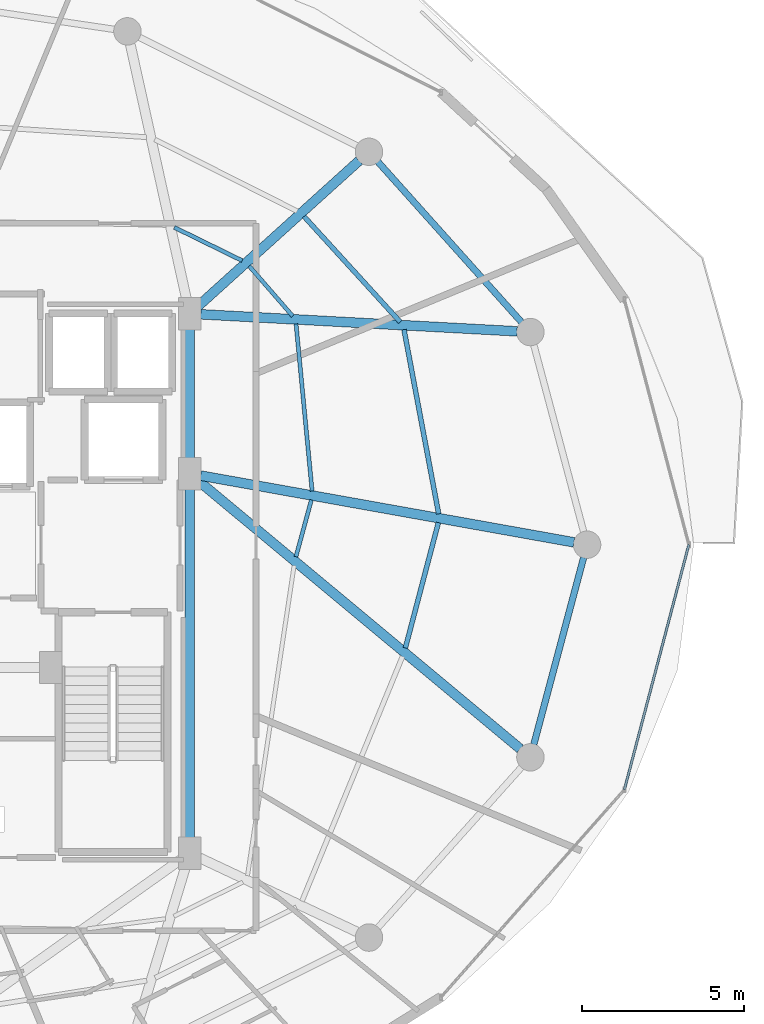
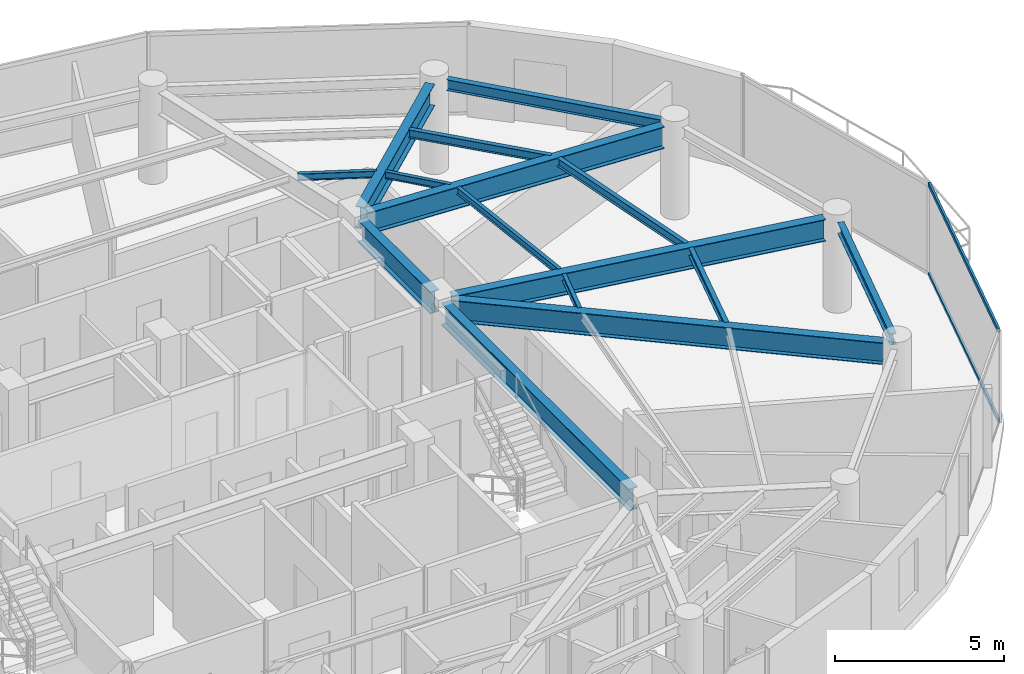
# One storey, part 14 of 30: 15 beams, 2 members, 1 element without a shape of its own.
"""IFC4 building model written with IfcOpenShell, lengths in metres."""

import ifcopenshell
import ifcopenshell.guid

model = None  # the IFC model being written
_history = None  # IfcOwnerHistory: only IFC2X3 demands one
_inside = {}  # id of a spatial element -> (the spatial element, [elements in it])
_under = {}  # id of a project, library or spatial element -> (it, [spatial elements below it])
_declared = {}  # id of a project -> (the project, [libraries it declares])
_typed = {}  # id of a type object -> (the type object, [elements of that type])
_made_of = {}  # id of a material, layer set ... -> (it, [elements and type objects made of it])


def new_model(schema):
    """Start an empty IFC model of exactly this schema.

    Asked for "IFC4X3", IfcOpenShell would pick the latest addendum, in which some entities
    have other attributes; the version numbers below select the first issue.
    IFC2X3 requires an IfcOwnerHistory on every rooted entity: one is made here for all.
    """
    global model, _history
    if schema == "IFC4X3":
        model = ifcopenshell.file(schema_version=(4, 3, 0, 0))
    else:
        model = ifcopenshell.file(schema=schema)
    _inside.clear()
    _under.clear()
    _declared.clear()
    _typed.clear()
    _made_of.clear()
    _history = None
    if model.schema == "IFC2X3":
        org = make("IfcOrganization", Name="unknown")
        user = make(
            "IfcPersonAndOrganization",
            ThePerson=make("IfcPerson", FamilyName="unknown"),
            TheOrganization=org,
        )
        app = make(
            "IfcApplication",
            ApplicationDeveloper=org,
            Version="unknown",
            ApplicationFullName="unknown",
            ApplicationIdentifier="unknown",
        )
        _history = make(
            "IfcOwnerHistory",
            OwningUser=user,
            OwningApplication=app,
            ChangeAction="ADDED",
            CreationDate=0,
        )
    return model


def make(cls, **values):
    """One entity of the class cls with the attributes given. An attribute that is None is left unset."""
    return model.create_entity(
        cls, **{name: value for name, value in values.items() if value is not None}
    )


def rooted(cls, **values):
    """An entity with a GlobalId (a new one), such as an element, a storey or a relation."""
    return make(cls, GlobalId=ifcopenshell.guid.new(), OwnerHistory=_history, **values)


def si_unit(unit_type, name, prefix=None):
    """IfcSIUnit, for example si_unit("LENGTHUNIT", "METRE", prefix="MILLI")."""
    return make("IfcSIUnit", UnitType=unit_type, Prefix=prefix, Name=name)


def assignment(units):
    """IfcUnitAssignment: the units of a project."""
    return None if units is None else make("IfcUnitAssignment", Units=units)


def point(xyz):
    """IfcCartesianPoint."""
    return None if xyz is None else make("IfcCartesianPoint", Coordinates=xyz)


def direction(xyz):
    """IfcDirection."""
    return None if xyz is None else make("IfcDirection", DirectionRatios=xyz)


def frame(location, z_axis=None, x_axis=None):
    """IfcAxis2Placement3D, a coordinate frame: its origin and axes. An axis left out is left unset."""
    return make(
        "IfcAxis2Placement3D",
        Location=point(location),
        Axis=direction(z_axis),
        RefDirection=direction(x_axis),
    )


def frame_2d(location, x_axis=None):
    """IfcAxis2Placement2D, a coordinate frame in the plane: its origin and x axis."""
    return make(
        "IfcAxis2Placement2D", Location=point(location), RefDirection=direction(x_axis)
    )


def origin():
    """The frame at (0, 0, 0) with its axes left unset."""
    return frame((0.0, 0.0, 0.0))


def origin_2d():
    """The frame at (0, 0) in the plane with its x axis left unset."""
    return frame_2d((0.0, 0.0))


def place(relative_to, where):
    """IfcLocalPlacement: puts the frame where relative to a parent placement (None: the world)."""
    return make(
        "IfcLocalPlacement", PlacementRelTo=relative_to, RelativePlacement=where
    )


def context(
    kind, dimensions, precision=None, world=None, true_north=None, identifier=None
):
    """IfcGeometricRepresentationContext, for example the 3D "Model" context."""
    return make(
        "IfcGeometricRepresentationContext",
        ContextIdentifier=identifier,
        ContextType=kind,
        CoordinateSpaceDimension=dimensions,
        Precision=precision,
        WorldCoordinateSystem=world,
        TrueNorth=true_north,
    )


def subcontext(parent, identifier, kind, view, scale=None):
    """IfcGeometricRepresentationSubContext, for example "Body" below "Model"."""
    return make(
        "IfcGeometricRepresentationSubContext",
        ContextIdentifier=identifier,
        ContextType=kind,
        ParentContext=parent,
        TargetScale=scale,
        TargetView=view,
    )


def project(units=None, contexts=None):
    """IfcProject with its units and contexts."""
    return rooted(
        "IfcProject",
        Name="project",
        RepresentationContexts=contexts,
        UnitsInContext=assignment(units),
    )


def spatial(cls, under=None, at=None, **own):
    """A site, building, storey or space (cls), placed at a placement, below another one or the project."""
    s = rooted(cls, ObjectPlacement=at, **own)
    if under is not None:
        _under.setdefault(under.id(), (under, []))[1].append(s)
    return s


def profile(cls, at=None, kind="AREA", **sizes):
    """A parametric profile (cls). Its sizes go by their IFC names, for example OverallWidth=200.0."""
    return make(cls, ProfileType=kind, Position=at, **sizes)


def hollow_rectangle(**sizes):
    """IfcRectangleHollowProfileDef."""
    return profile("IfcRectangleHollowProfileDef", **sizes)


def i_section(**sizes):
    """IfcIShapeProfileDef."""
    return profile("IfcIShapeProfileDef", **sizes)


def extrude(swept, where, along, depth):
    """IfcExtrudedAreaSolid: the profile swept, set in the frame where, extruded along a direction by depth."""
    return make(
        "IfcExtrudedAreaSolid",
        SweptArea=swept,
        Position=where,
        ExtrudedDirection=direction(along),
        Depth=depth,
    )


def shape(context_of_items, identifier, shape_type, items):
    """IfcShapeRepresentation: the items that make up one representation, for example the "Body"."""
    return make(
        "IfcShapeRepresentation",
        ContextOfItems=context_of_items,
        RepresentationIdentifier=identifier,
        RepresentationType=shape_type,
        Items=items,
    )


def material(Name=None, Category=None):
    """IfcMaterial."""
    return make("IfcMaterial", Name=Name, Category=Category)


def material_profile(
    of_material, cross_section, Name=None, Category=None, Priority=None
):
    """IfcMaterialProfile: a cross section and its material."""
    return make(
        "IfcMaterialProfile",
        Name=Name,
        Material=of_material,
        Profile=cross_section,
        Priority=Priority,
        Category=Category,
    )


def profile_set(profiles, Name=None, composite=None):
    """IfcMaterialProfileSet."""
    return make(
        "IfcMaterialProfileSet",
        Name=Name,
        MaterialProfiles=profiles,
        CompositeProfile=composite,
    )


def made_of(thing, what):
    """Note that an element or type object is made of a material, layer set ...; save() writes the relation."""
    if what is not None:
        _made_of.setdefault(what.id(), (what, []))[1].append(thing)
    return thing


def type_object(cls, material=None, **own):
    """A type object (cls), such as IfcWallType, which elements share."""
    return made_of(rooted(cls, **own), material)


def element(
    cls,
    number,
    at=None,
    inside=None,
    cuts=None,
    type_object=None,
    material=None,
    context=None,
    identifier="Body",
    shape_type=None,
    held_by="IfcProductDefinitionShape",
    body=None,
    shapes=None,
    **own,
):
    """One element of the class cls, such as IfcWall. Its Tag is "e" and its number.

    at: its placement. inside: the storey or other place that contains it. cuts: it is an
    opening in that element (IfcRelVoidsElement). A single representation is given by context,
    identifier, shape_type and body (its items); several are given by shapes. held_by: the class
    of the entity that holds the representations. save() writes the other relations.
    """
    e = rooted(cls, Tag="e%d" % number, ObjectPlacement=at, **own)
    if body is not None:
        shapes = [shape(context, identifier, shape_type, body)]
    if shapes is not None:
        e.Representation = make(held_by, Representations=shapes)
    if inside is not None:
        _inside.setdefault(inside.id(), (inside, []))[1].append(e)
    if cuts is not None:
        rooted(
            "IfcRelVoidsElement", RelatingBuildingElement=cuts, RelatedOpeningElement=e
        )
    if type_object is not None:
        _typed.setdefault(type_object.id(), (type_object, []))[1].append(e)
    return made_of(e, material)


def aggregate(whole, parts):
    """IfcRelAggregates: a whole, such as a stair, and the parts it consists of."""
    return rooted("IfcRelAggregates", RelatingObject=whole, RelatedObjects=parts)


def save(model, path):
    """Write the relations noted so far, then the file.

    IfcRelAggregates (storeys below a building ...), IfcRelContainedInSpatialStructure (elements
    in a storey), IfcRelDefinesByType, IfcRelAssociatesMaterial and IfcRelDeclares: one each for
    every whole, place, type object, material and project.
    """
    for whole, parts in _under.values():
        aggregate(whole, parts)
    for where, things in _inside.values():
        rooted(
            "IfcRelContainedInSpatialStructure",
            RelatedElements=things,
            RelatingStructure=where,
        )
    for kind, things in _typed.values():
        rooted("IfcRelDefinesByType", RelatedObjects=things, RelatingType=kind)
    for what, things in _made_of.values():
        rooted("IfcRelAssociatesMaterial", RelatedObjects=things, RelatingMaterial=what)
    for by, libraries in _declared.values():
        rooted("IfcRelDeclares", RelatingContext=by, RelatedDefinitions=libraries)
    model.write(path)


model = new_model("IFC4")

# Units and contexts
model_context = context("Model", 3, precision=1e-05, world=origin(), true_north=direction((0.0, 1.0)))
body_context = subcontext(model_context, "Body", "Model", "MODEL_VIEW")
ifc_project = project(units=[si_unit("LENGTHUNIT", "METRE"), si_unit("AREAUNIT", "SQUARE_METRE"), si_unit("VOLUMEUNIT", "CUBIC_METRE"), si_unit("PLANEANGLEUNIT", "RADIAN"), si_unit("MASSUNIT", "GRAM", prefix="KILO")], contexts=[model_context])

# Site, building, storey
site_placement = place(None, origin())
site = spatial("IfcSite", under=ifc_project, at=site_placement, CompositionType="ELEMENT")
building_placement = place(site_placement, origin())
building = spatial("IfcBuilding", under=site, at=building_placement, Name="Vorneva Point Tower", CompositionType="ELEMENT")
storey_placement = place(building_placement, frame((0.0, 0.0, 252.0)))
storey = spatial("IfcBuildingStorey", under=building, at=storey_placement, Name="L68", CompositionType="ELEMENT", Elevation=252.0)

# Beams
ifc_material_1 = material(Name="Steel S355", Category="steel")
ifc_material_profile_1 = material_profile(ifc_material_1, i_section(OverallWidth=0.300048828125, OverallDepth=0.7880859375, WebThickness=0.014404296875, FlangeThickness=0.02197265625, at=origin_2d()), Name="80Sh1")
ifc_profile_set_1 = profile_set([ifc_material_profile_1], Name="Steel S355")
beam_type_1 = type_object("IfcBeamType", Name="BM-GRD-80Sh1", PredefinedType="USERDEFINED", material=ifc_profile_set_1)
beam_1_placement = place(storey_placement, frame((60.6435546875, 26.07275390625, 2.89599609375), z_axis=(-0.9843788355, 0.17606336422, 0.0), x_axis=(-0.17606336422, -0.9843788355, 0.0)))
element("IfcBeam", 1, at=beam_1_placement, inside=storey, type_object=beam_type_1, Name="L68 Radial Primary Girder 01", ObjectType="GIRDER", PredefinedType="USERDEFINED", context=body_context, shape_type="SweptSolid", body=[
    extrude(i_section(OverallWidth=0.300048828125, OverallDepth=0.7880859375, WebThickness=0.014404296875, FlangeThickness=0.02197265625, at=origin_2d()), origin(), (0.0, 0.0, 1.0), 11.7421875),
])
beam_2_placement = place(storey_placement, frame((58.883056640625, 32.6044921875, 2.89599609375), z_axis=(-0.998554756376, 0.05374382308, 0.0), x_axis=(-0.05374382308, -0.998554756376, 0.0)))
element("IfcBeam", 2, at=beam_2_placement, inside=storey, type_object=beam_type_1, Name="L68 Radial Primary Girder 02", ObjectType="GIRDER", PredefinedType="USERDEFINED", context=body_context, shape_type="SweptSolid", body=[
    extrude(i_section(OverallWidth=0.300048828125, OverallDepth=0.7880859375, WebThickness=0.014404296875, FlangeThickness=0.02197265625, at=origin_2d()), origin(), (0.0, 0.0, 1.0), 9.8076171875),
])
beam_3_placement = place(storey_placement, frame((53.9921875, 37.885498046875, 2.89599609375), z_axis=(-0.7420671051, -0.670325601128, 0.0), x_axis=(0.670325601128, -0.7420671051, 0.0)))
element("IfcBeam", 3, at=beam_3_placement, inside=storey, type_object=beam_type_1, Name="L68 Radial Primary Girder 03", ObjectType="GIRDER", PredefinedType="USERDEFINED", context=body_context, shape_type="SweptSolid", body=[
    extrude(i_section(OverallWidth=0.300048828125, OverallDepth=0.7880859375, WebThickness=0.014404296875, FlangeThickness=0.02197265625, at=origin_2d()), origin(), (0.0, 0.0, 1.0), 6.724365234375),
])
beam_4_placement = place(storey_placement, frame((58.97802734375, 19.68212890625, 2.89599609375), z_axis=(-0.768424898021, 0.639939978515, 0.0), x_axis=(-0.639939978515, -0.768424898021, 0.0)))
element("IfcBeam", 4, at=beam_4_placement, inside=storey, type_object=beam_type_1, Name="L68 Radial Primary Girder 16", ObjectType="GIRDER", PredefinedType="USERDEFINED", context=body_context, shape_type="SweptSolid", body=[
    extrude(i_section(OverallWidth=0.300048828125, OverallDepth=0.7880859375, WebThickness=0.014404296875, FlangeThickness=0.02197265625, at=origin_2d()), origin(), (0.0, 0.0, 1.0), 12.970458984375),
])
beam_5_placement = place(storey_placement, frame((48.75, 16.77001953125, 2.89599609375), z_axis=(0.0, 1.0, 0.0), x_axis=(-1.0, 0.0, 0.0)))
element("IfcBeam", 5, at=beam_5_placement, inside=storey, type_object=beam_type_1, Name="L68 Core Tie Girder CT3", ObjectType="GIRDER", PredefinedType="USERDEFINED", context=body_context, shape_type="SweptSolid", body=[
    extrude(i_section(OverallWidth=0.300048828125, OverallDepth=0.7880859375, WebThickness=0.014404296875, FlangeThickness=0.02197265625, at=origin_2d()), origin(), (0.0, 0.0, 1.0), 11.10986328125),
])
beam_6_placement = place(storey_placement, frame((48.75, 28.52001953125, 2.89599609375), z_axis=(0.0, 1.0, 0.0), x_axis=(-1.0, 0.0, 0.0)))
element("IfcBeam", 6, at=beam_6_placement, inside=storey, type_object=beam_type_1, Name="L68 Core Tie Girder CT4", ObjectType="GIRDER", PredefinedType="USERDEFINED", context=body_context, shape_type="SweptSolid", body=[
    extrude(i_section(OverallWidth=0.300048828125, OverallDepth=0.7880859375, WebThickness=0.014404296875, FlangeThickness=0.02197265625, at=origin_2d()), origin(), (0.0, 0.0, 1.0), 4.31005859375),
])
ifc_material_profile_2 = material_profile(ifc_material_1, i_section(OverallWidth=0.1240234375, OverallDepth=0.248046875, WebThickness=0.0048828125, FlangeThickness=0.008056640625, at=origin_2d()), Name="25B1")
ifc_profile_set_2 = profile_set([ifc_material_profile_2], Name="Steel S355")
beam_type_2 = type_object("IfcBeamType", Name="BM-JST-25B1", PredefinedType="JOIST", material=ifc_profile_set_2)
beam_7_placement = place(storey_placement, frame((52.5390625, 27.6572265625, 3.166015625), z_axis=(-0.095772312645, 0.995403267089, 0.0), x_axis=(-0.995403267089, -0.095772312645, 0.0)))
element("IfcBeam", 7, at=beam_7_placement, inside=storey, type_object=beam_type_2, Name="L68 Secondary Floor Beam 2.01", PredefinedType="JOIST", context=body_context, shape_type="SweptSolid", body=[
    extrude(i_section(OverallWidth=0.1240234375, OverallDepth=0.248046875, WebThickness=0.0048828125, FlangeThickness=0.008056640625, at=origin_2d()), origin(), (0.0, 0.0, 1.0), 5.202880859375),
])
beam_8_placement = place(storey_placement, frame((51.93701171875, 33.07763671875, 3.166015625), z_axis=(-0.656396623312, 0.754415981342, 0.0), x_axis=(-0.754415981342, -0.656396623312, 0.0)))
element("IfcBeam", 8, at=beam_8_placement, inside=storey, type_object=beam_type_2, Name="L68 Secondary Floor Beam 2.02", PredefinedType="JOIST", context=body_context, shape_type="SweptSolid", body=[
    extrude(i_section(OverallWidth=0.1240234375, OverallDepth=0.248046875, WebThickness=0.0048828125, FlangeThickness=0.008056640625, at=origin_2d()), origin(), (0.0, 0.0, 1.0), 2.052490234375),
])
beam_9_placement = place(storey_placement, frame((50.37548828125, 34.791015625, 3.166015625), z_axis=(-0.897898931546, 0.440201668249, 0.0), x_axis=(-0.440201668249, -0.897898931546, 0.0)))
element("IfcBeam", 9, at=beam_9_placement, inside=storey, type_object=beam_type_2, Name="L68 Secondary Floor Beam 2.03", PredefinedType="JOIST", context=body_context, shape_type="SweptSolid", body=[
    extrude(i_section(OverallWidth=0.1240234375, OverallDepth=0.248046875, WebThickness=0.0048828125, FlangeThickness=0.008056640625, at=origin_2d()), origin(), (0.0, 0.0, 1.0), 2.34423828125),
])
beam_10_placement = place(storey_placement, frame((52.03759765625, 25.62548828125, 3.166015625), z_axis=(0.262189126288, 0.965016508696, 0.0), x_axis=(-0.965016508696, 0.262189126288, 0.0)))
element("IfcBeam", 10, at=beam_10_placement, inside=storey, type_object=beam_type_2, Name="L68 Secondary Floor Beam 2.16", PredefinedType="JOIST", context=body_context, shape_type="SweptSolid", body=[
    extrude(i_section(OverallWidth=0.1240234375, OverallDepth=0.248046875, WebThickness=0.0048828125, FlangeThickness=0.008056640625, at=origin_2d()), origin(), (0.0, 0.0, 1.0), 1.8251953125),
])
ifc_material_profile_3 = material_profile(ifc_material_1, i_section(OverallWidth=0.14892578125, OverallDepth=0.298095703125, WebThickness=0.005615234375, FlangeThickness=0.008056640625, at=origin_2d()), Name="30B1")
ifc_profile_set_3 = profile_set([ifc_material_profile_3], Name="Steel S355")
beam_type_3 = type_object("IfcBeamType", Name="BM-JST-30B1", PredefinedType="JOIST", material=ifc_profile_set_3)
beam_11_placement = place(storey_placement, frame((56.456787109375, 26.95263671875, 3.14111328125), z_axis=(-0.184968874114, 0.982744379587, 0.0), x_axis=(-0.982744379587, -0.184968874114, 0.0)))
element("IfcBeam", 11, at=beam_11_placement, inside=storey, type_object=beam_type_3, Name="L68 Secondary Floor Beam 1.01", PredefinedType="JOIST", context=body_context, shape_type="SweptSolid", body=[
    extrude(i_section(OverallWidth=0.14892578125, OverallDepth=0.298095703125, WebThickness=0.005615234375, FlangeThickness=0.008056640625, at=origin_2d()), origin(), (0.0, 0.0, 1.0), 5.80615234375),
])
beam_12_placement = place(storey_placement, frame((55.264404296875, 32.896240234375, 3.14111328125), z_axis=(-0.673657092993, 0.739044058944, 0.0), x_axis=(-0.739044058944, -0.673657092993, 0.0)))
element("IfcBeam", 12, at=beam_12_placement, inside=storey, type_object=beam_type_3, Name="L68 Secondary Floor Beam 1.02", PredefinedType="JOIST", context=body_context, shape_type="SweptSolid", body=[
    extrude(i_section(OverallWidth=0.14892578125, OverallDepth=0.298095703125, WebThickness=0.005615234375, FlangeThickness=0.008056640625, at=origin_2d()), origin(), (0.0, 0.0, 1.0), 4.4169921875),
])
beam_13_placement = place(storey_placement, frame((55.425048828125, 22.8037109375, 3.14111328125), z_axis=(0.254771835219, 0.967001195438, 0.0), x_axis=(-0.967001195438, 0.254771835219, 0.0)))
element("IfcBeam", 13, at=beam_13_placement, inside=storey, type_object=beam_type_3, Name="L68 Secondary Floor Beam 1.16", PredefinedType="JOIST", context=body_context, shape_type="SweptSolid", body=[
    extrude(i_section(OverallWidth=0.14892578125, OverallDepth=0.298095703125, WebThickness=0.005615234375, FlangeThickness=0.008056640625, at=origin_2d()), origin(), (0.0, 0.0, 1.0), 4.01220703125),
])
ifc_material_profile_4 = material_profile(ifc_material_1, i_section(OverallWidth=0.198974609375, OverallDepth=0.39599609375, WebThickness=0.007080078125, FlangeThickness=0.010986328125, at=origin_2d()), Name="40B1")
ifc_profile_set_4 = profile_set([ifc_material_profile_4], Name="Steel S355")
beam_type_4 = type_object("IfcBeamType", Name="BM-SPN-40B1", PredefinedType="SPANDREL", material=ifc_profile_set_4)
beam_14_placement = place(storey_placement, frame((59.02197265625, 32.8876953125, 3.092041015625), z_axis=(-0.667108282638, 0.744960763554, 0.0), x_axis=(-0.744960763554, -0.667108282638, 0.0)))
element("IfcBeam", 14, at=beam_14_placement, inside=storey, type_object=beam_type_4, Name="L68 Perimeter Spandrel Ring Beam 02", PredefinedType="SPANDREL", context=body_context, shape_type="SweptSolid", body=[
    extrude(i_section(OverallWidth=0.198974609375, OverallDepth=0.39599609375, WebThickness=0.007080078125, FlangeThickness=0.010986328125, at=origin_2d()), origin(), (0.0, 0.0, 1.0), 6.670166015625),
])
beam_15_placement = place(storey_placement, frame((59.40087890625, 19.81396484375, 3.092041015625), z_axis=(0.257586570866, 0.966255224312, 0.0), x_axis=(-0.966255224312, 0.257586570866, 0.0)))
element("IfcBeam", 15, at=beam_15_placement, inside=storey, type_object=beam_type_4, Name="L68 Perimeter Spandrel Ring Beam 16", PredefinedType="SPANDREL", context=body_context, shape_type="SweptSolid", body=[
    extrude(i_section(OverallWidth=0.198974609375, OverallDepth=0.39599609375, WebThickness=0.007080078125, FlangeThickness=0.010986328125, at=origin_2d()), origin(), (0.0, 0.0, 1.0), 5.991943359375),
])

# Curtain wall, members
ifc_material_2 = material(Name="Pale anodised aluminium", Category="aluminium")
curtain_wall_type = type_object("IfcCurtainWallType", Name="CW-RES-SYS", PredefinedType="NOTDEFINED", material=ifc_material_2)
curtain_wall_placement = place(storey_placement, origin())
curtain_wall = element("IfcCurtainWall", 16, at=curtain_wall_placement, inside=storey, type_object=curtain_wall_type, Name="L68 Unitised Curtain Wall CW-L68-R01", PredefinedType="NOTDEFINED")
ifc_material_profile_5 = material_profile(ifc_material_2, hollow_rectangle(XDim=0.074951171875, YDim=0.14990234375, WallThickness=0.00390625, at=origin_2d()), Name="AL-TRN 150x75x4")
ifc_profile_set_5 = profile_set([ifc_material_profile_5], Name="Pale anodised aluminium")
member_type = type_object("IfcMemberType", Name="CW-TRN-150", PredefinedType="USERDEFINED", material=ifc_profile_set_5)
member_1_placement = place(storey_placement, frame((62.20556640625, 18.4189453125, 0.02001953125), z_axis=(0.254418180926, 0.967094302131, 0.0), x_axis=(-0.967094302131, 0.254418180926, 0.0)))
member_1 = element("IfcMember", 17, at=member_1_placement, type_object=member_type, Name="CW-L68-R01 Transom 02.1", ObjectType="TRANSOM", PredefinedType="USERDEFINED", context=body_context, shape_type="SweptSolid", body=[
    extrude(hollow_rectangle(XDim=0.074951171875, YDim=0.14990234375, WallThickness=0.00390625, at=origin_2d()), origin(), (0.0, 0.0, 1.0), 7.839111328125),
])
member_2_placement = place(storey_placement, frame((62.20556640625, 18.4189453125, 3.27001953125), z_axis=(0.254418180926, 0.967094302131, 0.0), x_axis=(-0.967094302131, 0.254418180926, 0.0)))
member_2 = element("IfcMember", 18, at=member_2_placement, type_object=member_type, Name="CW-L68-R01 Transom 02.2", ObjectType="TRANSOM", PredefinedType="USERDEFINED", context=body_context, shape_type="SweptSolid", body=[
    extrude(hollow_rectangle(XDim=0.074951171875, YDim=0.14990234375, WallThickness=0.00390625, at=origin_2d()), origin(), (0.0, 0.0, 1.0), 7.839111328125),
])
aggregate(curtain_wall, [member_1, member_2])

save(model, "model.ifc")
